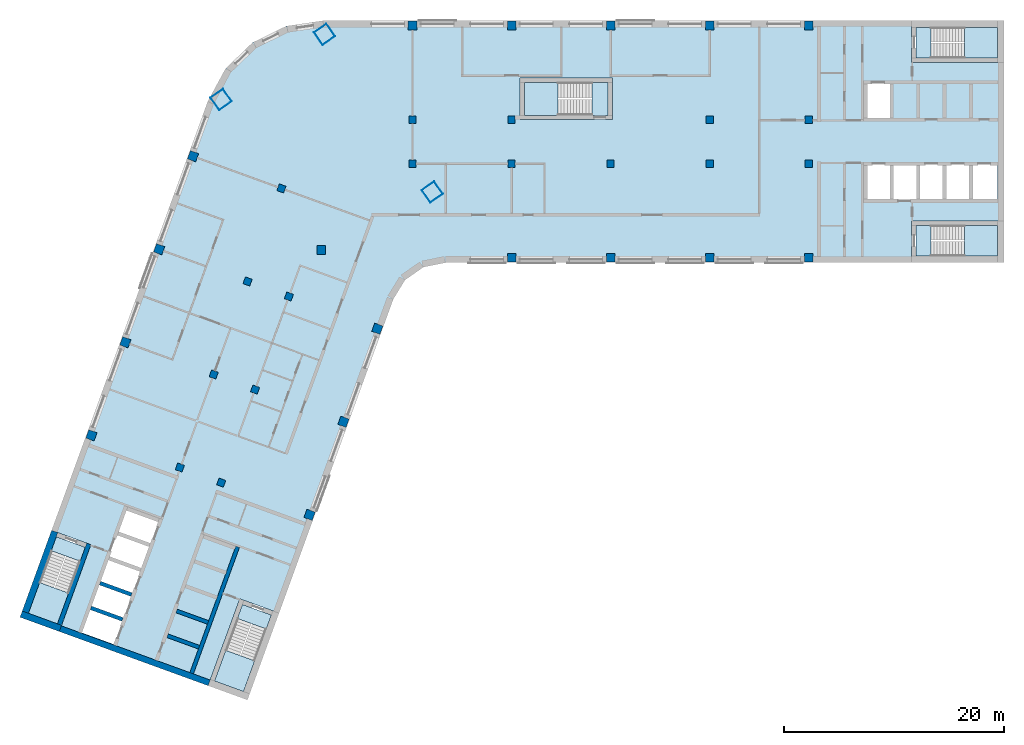
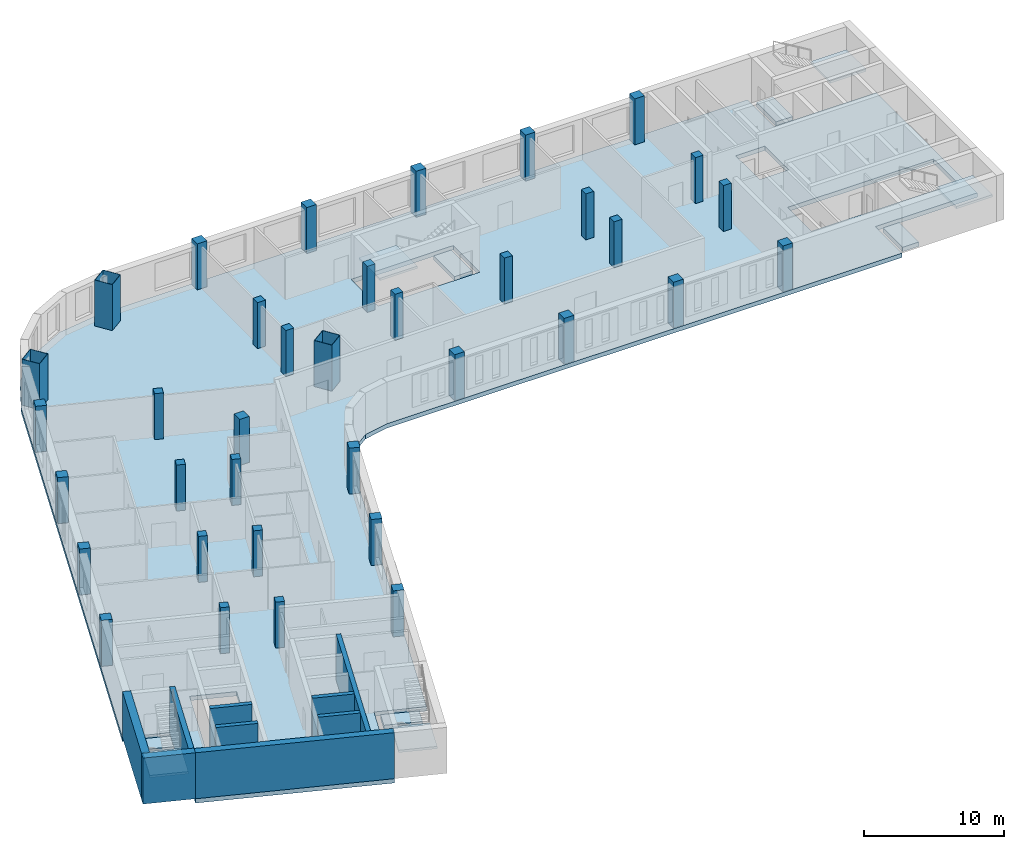
# One storey, part 1 of 8: 36 columns, 11 slabs, 9 walls, 5 elements without a shape of their own.
"""IFC4 building model written with IfcOpenShell, lengths in metres."""

from ifc_helpers import new_model, si_unit, direction, frame, frame_2d, origin, origin_2d, place, context, subcontext, project, spatial, polyline, rectangle, hollow_rectangle, outline, extrude, material, layer, layer_set, material_profile, profile_set, type_object, element, aggregate, save


model = new_model("IFC4")

# Units and contexts
model_context = context("Model", 3, precision=1e-05, world=origin(), true_north=direction((0.0, 1.0)))
body_context = subcontext(model_context, "Body", "Model", "MODEL_VIEW")
ifc_project = project(units=[si_unit("LENGTHUNIT", "METRE"), si_unit("AREAUNIT", "SQUARE_METRE"), si_unit("VOLUMEUNIT", "CUBIC_METRE"), si_unit("PLANEANGLEUNIT", "RADIAN"), si_unit("MASSUNIT", "GRAM", prefix="KILO")], contexts=[model_context])

# Site, building, storey
site_placement = place(None, origin())
site = spatial("IfcSite", under=ifc_project, at=site_placement, CompositionType="ELEMENT")
building_placement = place(site_placement, origin())
building = spatial("IfcBuilding", under=site, at=building_placement, Name="Skarvind Civic Tower", CompositionType="ELEMENT")
storey_placement = place(building_placement, frame((0.0, 0.0, 170.5)))
storey = spatial("IfcBuildingStorey", under=building, at=storey_placement, Name="L40", CompositionType="ELEMENT", Elevation=170.5)

# Columns
ifc_material_1 = material(Name="Concrete C60", Category="concrete")
ifc_material_profile_1 = material_profile(ifc_material_1, rectangle(XDim=0.64990234375, YDim=0.64990234375, at=origin_2d()), Name="RC-650x650")
ifc_profile_set_1 = profile_set([ifc_material_profile_1], Name="Concrete C60")
column_type_1 = type_object("IfcColumnType", Name="Column RC-650x650 C60", PredefinedType="COLUMN", material=ifc_profile_set_1)
for number, where, z_axis, x_axis, name in (
    (1, (54.25, 130.0, 0.0), (0.0, 0.0, 1.0), (1.0, 0.0, 0.0), "Column wing 1 north inner 02 L40"),
    (2, (63.25, 130.0, 0.0), (0.0, 0.0, 1.0), (1.0, 0.0, 0.0), "Column wing 1 north inner 03 L40"),
    (3, (81.25, 130.0, 0.0), (0.0, 0.0, 1.0), (1.0, 0.0, 0.0), "Column wing 1 north inner 05 L40"),
    (4, (90.25, 130.0, 0.0), (0.0, 0.0, 1.0), (1.0, 0.0, 0.0), "Column wing 1 north inner 06 L40"),
    (5, (54.25, 126.0, 0.0), (0.0, 0.0, 1.0), (1.0, 0.0, 0.0), "Column wing 1 south inner 02 L40"),
    (6, (63.25, 126.0, 0.0), (0.0, 0.0, 1.0), (1.0, 0.0, 0.0), "Column wing 1 south inner 03 L40"),
    (7, (72.25, 126.0, 0.0), (0.0, 0.0, 1.0), (1.0, 0.0, 0.0), "Column wing 1 south inner 04 L40"),
    (8, (81.25, 126.0, 0.0), (0.0, 0.0, 1.0), (1.0, 0.0, 0.0), "Column wing 1 south inner 05 L40"),
    (9, (90.25, 126.0, 0.0), (0.0, 0.0, 1.0), (1.0, 0.0, 0.0), "Column wing 1 south inner 06 L40"),
    (10, (43.005615234375, 113.92529296875, 0.0), (0.0, 0.0, 1.0), (-0.342020143326, -0.939692620786, 0.0), "Column wing 2 left inner 02 L40"),
    (11, (39.927490234375, 105.468017578125, 0.0), (0.0, 0.0, 1.0), (-0.342020143326, -0.939692620786, 0.0), "Column wing 2 left inner 03 L40"),
    (12, (36.84912109375, 97.010986328125, 0.0), (0.0, 0.0, 1.0), (-0.342020143326, -0.939692620786, 0.0), "Column wing 2 left inner 04 L40"),
    (13, (42.324951171875, 123.750732421875, 0.0), (0.0, 0.0, 1.0), (-0.342020143326, -0.939692620786, 0.0), "Column wing 2 right inner 01 L40"),
    (14, (39.246826171875, 115.29345703125, 0.0), (0.0, 0.0, 1.0), (-0.342020143326, -0.939692620786, 0.0), "Column wing 2 right inner 02 L40"),
    (15, (36.168701171875, 106.836181640625, 0.0), (0.0, 0.0, 1.0), (-0.342020143326, -0.939692620786, 0.0), "Column wing 2 right inner 03 L40"),
    (16, (33.090576171875, 98.37890625, 0.0), (0.0, 0.0, 1.0), (-0.342020143326, -0.939692620786, 0.0), "Column wing 2 right inner 04 L40"),
):
    element("IfcColumn", number, at=place(storey_placement, frame(where, z_axis=z_axis, x_axis=x_axis)), inside=storey, type_object=column_type_1, Name=name, PredefinedType="COLUMN", context=body_context, shape_type="SweptSolid", body=[
        extrude(rectangle(XDim=0.64990234375, YDim=0.64990234375, at=origin_2d()), origin(), (0.0, 0.0, 1.0), 4.0),
    ])
ifc_material_profile_2 = material_profile(ifc_material_1, rectangle(XDim=0.800048828125, YDim=0.800048828125, at=origin_2d()), Name="RC-800x800")
ifc_profile_set_2 = profile_set([ifc_material_profile_2], Name="Concrete C60")
column_type_2 = type_object("IfcColumnType", Name="Column RC-800x800 C60", PredefinedType="COLUMN", material=ifc_profile_set_2)
for number, where, z_axis, x_axis, name in (
    (17, (54.25, 138.550048828125, 0.0), (0.0, 0.0, 1.0), (1.0, 0.0, 0.0), "Column wing 1 north perimeter 02 L40"),
    (18, (63.25, 138.550048828125, 0.0), (0.0, 0.0, 1.0), (1.0, 0.0, 0.0), "Column wing 1 north perimeter 03 L40"),
    (19, (72.25, 138.550048828125, 0.0), (0.0, 0.0, 1.0), (1.0, 0.0, 0.0), "Column wing 1 north perimeter 04 L40"),
    (20, (81.25, 138.550048828125, 0.0), (0.0, 0.0, 1.0), (1.0, 0.0, 0.0), "Column wing 1 north perimeter 05 L40"),
    (21, (90.25, 138.550048828125, 0.0), (0.0, 0.0, 1.0), (1.0, 0.0, 0.0), "Column wing 1 north perimeter 06 L40"),
    (22, (45.95166015625, 118.151611328125, 0.0), (0.0, 0.0, 1.0), (1.0, 0.0, 0.0), "Column wing 1 south perimeter 01 L40"),
    (23, (63.25, 117.449951171875, 0.0), (0.0, 0.0, 1.0), (1.0, 0.0, 0.0), "Column wing 1 south perimeter 03 L40"),
    (24, (72.25, 117.449951171875, 0.0), (0.0, 0.0, 1.0), (1.0, 0.0, 0.0), "Column wing 1 south perimeter 04 L40"),
    (25, (81.25, 117.449951171875, 0.0), (0.0, 0.0, 1.0), (1.0, 0.0, 0.0), "Column wing 1 south perimeter 05 L40"),
    (26, (90.25, 117.449951171875, 0.0), (0.0, 0.0, 1.0), (1.0, 0.0, 0.0), "Column wing 1 south perimeter 06 L40"),
    (27, (51.0400390625, 111.0009765625, 0.0), (0.0, 0.0, 1.0), (-0.342020143326, -0.939692620786, 0.0), "Column wing 2 left perimeter 02 L40"),
    (28, (47.961669921875, 102.5439453125, 0.0), (0.0, 0.0, 1.0), (-0.342020143326, -0.939692620786, 0.0), "Column wing 2 left perimeter 03 L40"),
    (29, (44.883544921875, 94.086669921875, 0.0), (0.0, 0.0, 1.0), (-0.342020143326, -0.939692620786, 0.0), "Column wing 2 left perimeter 04 L40"),
    (30, (34.29052734375, 126.6748046875, 0.0), (0.0, 0.0, 1.0), (-0.342020143326, -0.939692620786, 0.0), "Column wing 2 right perimeter 01 L40"),
    (31, (31.21240234375, 118.2177734375, 0.0), (0.0, 0.0, 1.0), (-0.342020143326, -0.939692620786, 0.0), "Column wing 2 right perimeter 02 L40"),
    (32, (28.13427734375, 109.760498046875, 0.0), (0.0, 0.0, 1.0), (-0.342020143326, -0.939692620786, 0.0), "Column wing 2 right perimeter 03 L40"),
    (33, (25.05615234375, 101.30322265625, 0.0), (0.0, 0.0, 1.0), (-0.342020143326, -0.939692620786, 0.0), "Column wing 2 right perimeter 04 L40"),
):
    element("IfcColumn", number, at=place(storey_placement, frame(where, z_axis=z_axis, x_axis=x_axis)), inside=storey, type_object=column_type_2, Name=name, PredefinedType="COLUMN", context=body_context, shape_type="SweptSolid", body=[
        extrude(rectangle(XDim=0.800048828125, YDim=0.800048828125, at=origin_2d()), origin(), (0.0, 0.0, 1.0), 4.0),
    ])
ifc_material_2 = material(Name="Composite concrete-filled steel tube, Steel SM355 with Concrete C80", Category="concrete")
ifc_material_profile_3 = material_profile(ifc_material_2, hollow_rectangle(XDim=1.39990234375, YDim=1.39990234375, WallThickness=0.031982421875, at=origin_2d()), Name="BOX-1400x1400x32")
ifc_profile_set_3 = profile_set([ifc_material_profile_3], Name="Composite concrete-filled steel tube, Steel SM355 with Concrete C80")
column_type_3 = type_object("IfcColumnType", Name="Mega column BOX-1400x1400x32 filled C80", PredefinedType="COLUMN", material=ifc_profile_set_3)
for number, where, z_axis, x_axis, name in (
    (34, (36.845947265625, 131.837646484375, 0.0), (0.0, 0.0, 1.0), (0.573576436351, -0.819152044289, 0.0), "Mega column 1 L40"),
    (35, (46.2470703125, 137.762451171875, 0.0), (0.0, 0.0, 1.0), (0.573576436351, -0.819152044289, 0.0), "Mega column 2 L40"),
    (36, (56.0361328125, 123.43017578125, 0.0), (0.0, 0.0, 1.0), (0.573576436351, -0.819152044289, 0.0), "Mega column 4 L40"),
):
    element("IfcColumn", number, at=place(storey_placement, frame(where, z_axis=z_axis, x_axis=x_axis)), inside=storey, type_object=column_type_3, Name=name, PredefinedType="COLUMN", context=body_context, shape_type="SweptSolid", body=[
        extrude(hollow_rectangle(XDim=1.39990234375, YDim=1.39990234375, WallThickness=0.031982421875, at=origin_2d()), origin(), (0.0, 0.0, 1.0), 4.0),
    ])

# Slabs
ifc_material_3 = material(Name="Concrete C50", Category="concrete")
ifc_layer_1 = layer(ifc_material_3, 0.375)
ifc_layer_set_1 = layer_set([ifc_layer_1], Name="Floor slab 375 C50")
slab_type_1 = type_object("IfcSlabType", Name="Floor slab 375 C50", PredefinedType="FLOOR", material=ifc_layer_set_1)
slab_1_placement = place(storey_placement, frame((0.0, 0.0, -0.375)))
element("IfcSlab", 37, at=slab_1_placement, inside=storey, type_object=slab_type_1, Name="Floor slab L40 1", PredefinedType="FLOOR", context=body_context, shape_type="SweptSolid", body=[
    extrude(outline(polyline([(99.60009765625, 117.0), (99.60009765625, 120.800048828125), (108.0, 120.800048828125), (108.0, 135.199951171875), (99.60009765625, 135.199951171875), (99.60009765625, 139.0), (46.095458984375, 139.0), (42.739501953125, 138.5009765625), (39.6943359375, 137.005615234375), (37.24755859375, 134.6552734375), (35.630615234375, 131.672607421875), (19.41748046875, 87.126708984375), (21.435302734375, 92.6708984375), (25.006103515625, 91.371337890625), (22.13330078125, 83.477783203125), (36.886474609375, 78.108154296875), (35.664794921875, 78.552734375), (38.53759765625, 86.4462890625), (42.108642578125, 85.146484375), (40.0908203125, 79.602294921875), (40.0908203125, 79.602294921875), (52.493896484375, 113.68017578125), (53.560791015625, 115.421630859375), (55.23388671875, 116.593017578125), (57.235107421875, 117.0), (99.60009765625, 117.0)]), holes=[polyline([(25.671630859375, 87.9365234375), (26.492431640625, 90.19189453125), (27.313232421875, 92.447021484375), (28.134033203125, 94.702392578125), (31.3291015625, 93.53955078125), (30.50830078125, 91.2841796875), (29.6875, 89.029052734375), (28.866455078125, 86.773681640625), (28.866455078125, 86.773681640625), (28.045654296875, 84.5185546875), (27.224853515625, 82.26318359375), (24.02978515625, 83.426025390625), (24.8505859375, 85.681396484375), (25.671630859375, 87.9365234375), (25.671630859375, 87.9365234375)]), polyline([(64.0, 130.0), (64.0, 133.800048828125), (72.39990234375, 133.800048828125), (72.39990234375, 130.0), (64.0, 130.0)]), polyline([(97.800048828125, 126.0), (100.199951171875, 126.0), (102.60009765625, 126.0), (105.0, 126.0), (107.39990234375, 126.0), (107.39990234375, 122.60009765625), (105.0, 122.60009765625), (102.60009765625, 122.60009765625), (100.199951171875, 122.60009765625), (97.800048828125, 122.60009765625), (95.39990234375, 122.60009765625), (95.39990234375, 126.0), (97.800048828125, 126.0)]), polyline([(97.800048828125, 133.39990234375), (97.800048828125, 130.0), (95.39990234375, 130.0), (95.39990234375, 133.39990234375), (97.800048828125, 133.39990234375)])]), origin(), (0.0, 0.0, 1.0), 0.375),
])
ifc_material_4 = material(Name="Concrete C40/50", Category="concrete")
ifc_layer_2 = layer(ifc_material_4, 0.375)
ifc_layer_set_2 = layer_set([ifc_layer_2], Name="Stair floor landing slab 375")
slab_type_2 = type_object("IfcSlabType", Name="Stair floor landing slab 375", PredefinedType="LANDING", material=ifc_layer_set_2)
slab_2_placement = place(storey_placement, frame((0.0, 0.0, -0.375)))
element("IfcSlab", 38, at=slab_2_placement, inside=storey, type_object=slab_type_2, Name="Stair floor landing", PredefinedType="LANDING", context=body_context, shape_type="SweptSolid", body=[
    extrude(outline(polyline([(101.3505859375, 138.400634765625), (101.3505859375, 135.599365234375), (99.99951171875, 135.599365234375), (99.99951171875, 138.400634765625), (101.3505859375, 138.400634765625)])), origin(), (0.0, 0.0, 1.0), 0.375),
])
slab_3_placement = place(storey_placement, frame((0.0, 0.0, -0.375)))
element("IfcSlab", 39, at=slab_3_placement, inside=storey, type_object=slab_type_2, Name="Stair floor landing", PredefinedType="LANDING", context=body_context, shape_type="SweptSolid", body=[
    extrude(outline(polyline([(101.3505859375, 120.400634765625), (101.3505859375, 117.599365234375), (99.99951171875, 117.599365234375), (99.99951171875, 120.400634765625), (101.3505859375, 120.400634765625)])), origin(), (0.0, 0.0, 1.0), 0.375),
])
slab_4_placement = place(storey_placement, frame((0.0, 0.0, -0.375)))
element("IfcSlab", 40, at=slab_4_placement, inside=storey, type_object=slab_type_2, Name="Stair floor landing", PredefinedType="LANDING", context=body_context, shape_type="SweptSolid", body=[
    extrude(outline(polyline([(40.946533203125, 83.70654296875), (38.314208984375, 84.66455078125), (38.7763671875, 85.934326171875), (41.40869140625, 84.976318359375), (40.946533203125, 83.70654296875)])), origin(), (0.0, 0.0, 1.0), 0.375),
])
slab_5_placement = place(storey_placement, frame((0.0, 0.0, -0.375)))
element("IfcSlab", 41, at=slab_5_placement, inside=storey, type_object=slab_type_2, Name="Stair floor landing", PredefinedType="LANDING", context=body_context, shape_type="SweptSolid", body=[
    extrude(outline(polyline([(24.0322265625, 89.863037109375), (21.39990234375, 90.821044921875), (21.862060546875, 92.090576171875), (24.494384765625, 91.132568359375), (24.0322265625, 89.863037109375)])), origin(), (0.0, 0.0, 1.0), 0.375),
])
slab_6_placement = place(storey_placement, frame((0.0, 0.0, -0.375)))
element("IfcSlab", 42, at=slab_6_placement, inside=storey, type_object=slab_type_2, Name="Stair floor landing", PredefinedType="LANDING", context=body_context, shape_type="SweptSolid", body=[
    extrude(outline(polyline([(70.54931640625, 130.3994140625), (70.54931640625, 133.400634765625), (72.00048828125, 133.400634765625), (72.00048828125, 130.3994140625), (70.54931640625, 130.3994140625)])), origin(), (0.0, 0.0, 1.0), 0.375),
])

# Stair, slab
stair_type_1 = type_object("IfcStairType", Name="Exit stair, half-turn, concrete", PredefinedType="HALF_TURN_STAIR", material=ifc_material_4)
stair_1_placement = place(storey_placement, origin())
stair_1 = element("IfcStair", 43, at=stair_1_placement, inside=storey, type_object=stair_type_1, Name="Exit stair C1S", PredefinedType="HALF_TURN_STAIR")
ifc_layer_3 = layer(ifc_material_4, 0.199951171875)
ifc_layer_set_3 = layer_set([ifc_layer_3], Name="Stair half landing slab")
slab_type_3 = type_object("IfcSlabType", Name="Stair half landing slab", PredefinedType="LANDING", material=ifc_layer_set_3)
slab_7_placement = place(storey_placement, frame((0.0, 0.0, 1.800048828125)))
slab_7 = element("IfcSlab", 44, at=slab_7_placement, type_object=slab_type_3, Name="ST-C1S landing 1", PredefinedType="LANDING", context=body_context, shape_type="SweptSolid", body=[
    extrude(outline(polyline([(104.429443359375, 135.599365234375), (104.429443359375, 138.400634765625), (107.400634765625, 138.400634765625), (107.400634765625, 135.599365234375), (104.429443359375, 135.599365234375)])), origin(), (0.0, 0.0, 1.0), 0.199951171875),
])
aggregate(stair_1, [slab_7])

stair_2_placement = place(storey_placement, origin())
stair_2 = element("IfcStair", 45, at=stair_2_placement, inside=storey, type_object=stair_type_1, Name="Exit stair C1N", PredefinedType="HALF_TURN_STAIR")
slab_8_placement = place(storey_placement, frame((0.0, 0.0, 1.800048828125)))
slab_8 = element("IfcSlab", 46, at=slab_8_placement, type_object=slab_type_3, Name="ST-C1N landing 1", PredefinedType="LANDING", context=body_context, shape_type="SweptSolid", body=[
    extrude(outline(polyline([(104.429443359375, 117.599365234375), (104.429443359375, 120.400634765625), (107.400634765625, 120.400634765625), (107.400634765625, 117.599365234375), (104.429443359375, 117.599365234375)])), origin(), (0.0, 0.0, 1.0), 0.199951171875),
])
aggregate(stair_2, [slab_8])

stair_3_placement = place(storey_placement, origin())
stair_3 = element("IfcStair", 47, at=stair_3_placement, inside=storey, type_object=stair_type_1, Name="Exit stair C2S", PredefinedType="HALF_TURN_STAIR")
slab_9_placement = place(storey_placement, frame((0.0, 0.0, 1.800048828125)))
slab_9 = element("IfcSlab", 48, at=slab_9_placement, type_object=slab_type_3, Name="ST-C2S landing 1", PredefinedType="LANDING", context=body_context, shape_type="SweptSolid", body=[
    extrude(outline(polyline([(37.26123046875, 81.771484375), (39.8935546875, 80.8134765625), (38.87744140625, 78.021484375), (36.2451171875, 78.9794921875), (37.26123046875, 81.771484375)])), origin(), (0.0, 0.0, 1.0), 0.199951171875),
])
aggregate(stair_3, [slab_9])

stair_4_placement = place(storey_placement, origin())
stair_4 = element("IfcStair", 49, at=stair_4_placement, inside=storey, type_object=stair_type_1, Name="Exit stair C2N", PredefinedType="HALF_TURN_STAIR")
slab_10_placement = place(storey_placement, frame((0.0, 0.0, 1.800048828125)))
slab_10 = element("IfcSlab", 50, at=slab_10_placement, type_object=slab_type_3, Name="ST-C2N landing 1", PredefinedType="LANDING", context=body_context, shape_type="SweptSolid", body=[
    extrude(outline(polyline([(20.346923828125, 87.927734375), (22.97900390625, 86.9697265625), (21.962890625, 84.177734375), (19.33056640625, 85.1357421875), (20.346923828125, 87.927734375)])), origin(), (0.0, 0.0, 1.0), 0.199951171875),
])
aggregate(stair_4, [slab_10])

stair_type_2 = type_object("IfcStairType", Name="Exit stair 1450, half-turn, concrete", PredefinedType="HALF_TURN_STAIR", material=ifc_material_4)
stair_5_placement = place(storey_placement, origin())
stair_5 = element("IfcStair", 51, at=stair_5_placement, inside=storey, type_object=stair_type_2, Name="Exit stair CM", PredefinedType="HALF_TURN_STAIR")
slab_11_placement = place(storey_placement, frame((0.0, 0.0, 1.800048828125)))
slab_11 = element("IfcSlab", 52, at=slab_11_placement, type_object=slab_type_3, Name="ST-CM landing 1", PredefinedType="LANDING", context=body_context, shape_type="SweptSolid", body=[
    extrude(outline(polyline([(67.470703125, 133.400634765625), (67.470703125, 130.3994140625), (64.3994140625, 130.3994140625), (64.3994140625, 133.400634765625), (67.470703125, 133.400634765625)])), origin(), (0.0, 0.0, 1.0), 0.199951171875),
])
aggregate(stair_5, [slab_11])

# Walls
ifc_layer_4 = layer(ifc_material_1, 0.35009765625)
ifc_layer_set_4 = layer_set([ifc_layer_4], Name="Core wall 350 C60")
wall_type_1 = type_object("IfcWallType", Name="Core wall 350 C60", PredefinedType="SHEAR", material=ifc_layer_set_4)
wall_1_placement = place(storey_placement, frame((34.161376953125, 79.685302734375, 0.0), z_axis=(0.0, 0.0, 1.0), x_axis=(0.34201563943, 0.939694260058, 0.0)))
element("IfcWall", 53, at=wall_1_placement, inside=storey, type_object=wall_type_1, Name="Core wall C2 south lift row back L40", PredefinedType="SHEAR", context=body_context, shape_type="SweptSolid", body=[
    extrude(rectangle(XDim=12.22509765625, YDim=0.35009765625, at=frame_2d((6.112548828125, 0.0))), origin(), (0.0, 0.0, 1.0), 4.0),
])
wall_2_placement = place(storey_placement, frame((34.8349609375, 82.04736328125, 0.0), z_axis=(0.0, 0.0, 1.0), x_axis=(-0.939683528043, 0.3420451244, 0.0)))
element("IfcWall", 54, at=wall_2_placement, inside=storey, type_object=wall_type_1, Name="Core wall C2 south lift row division 1 L40", PredefinedType="SHEAR", context=body_context, shape_type="SweptSolid", body=[
    extrude(rectangle(XDim=3.050048828125, YDim=0.35009765625, at=frame_2d((1.52490234375, 0.0))), origin(), (0.0, 0.0, 1.0), 4.0),
])
wall_3_placement = place(storey_placement, frame((35.65576171875, 84.302734375, 0.0), z_axis=(0.0, 0.0, 1.0), x_axis=(-0.939709254651, 0.341974438698, 0.0)))
element("IfcWall", 55, at=wall_3_placement, inside=storey, type_object=wall_type_1, Name="Core wall C2 south lift row division 2 L40", PredefinedType="SHEAR", context=body_context, shape_type="SweptSolid", body=[
    extrude(rectangle(XDim=3.0498046875, YDim=0.35009765625, at=frame_2d((1.52490234375, 0.0))), origin(), (0.0, 0.0, 1.0), 4.0),
])
for number, where, z_axis, x_axis, name in (
    (56, (27.881103515625, 84.578369140625, 0.0), (0.0, 0.0, 1.0), (-0.939683528043, 0.3420451244, 0.0), "Core wall C2 north lift row division 1 L40"),
    (57, (28.7021484375, 86.83349609375, 0.0), (0.0, 0.0, 1.0), (-0.939692892192, 0.342019397644, 0.0), "Core wall C2 north lift row division 2 L40"),
):
    element("IfcWall", number, at=place(storey_placement, frame(where, z_axis=z_axis, x_axis=x_axis)), inside=storey, type_object=wall_type_1, Name=name, PredefinedType="SHEAR", context=body_context, shape_type="SweptSolid", body=[
        extrude(rectangle(XDim=3.050048828125, YDim=0.35009765625, at=frame_2d((1.52490234375, 0.0))), origin(), (0.0, 0.0, 1.0), 4.0),
    ])
ifc_layer_5 = layer(ifc_material_1, 0.39990234375)
ifc_layer_set_5 = layer_set([ifc_layer_5], Name="Core wall 400 C60")
wall_type_2 = type_object("IfcWallType", Name="Core wall 400 C60", PredefinedType="SHEAR", material=ifc_layer_set_5)
wall_4_placement = place(storey_placement, frame((22.150390625, 84.110107421875, 0.0), z_axis=(0.0, 0.0, 1.0), x_axis=(0.342016982193, 0.939693771338, 0.0)))
element("IfcWall", 58, at=wall_4_placement, inside=storey, type_object=wall_type_2, Name="Core wall C2 north stair inner L40", PredefinedType="SHEAR", context=body_context, shape_type="SweptSolid", body=[
    extrude(rectangle(XDim=7.800048828125, YDim=0.39990234375, at=frame_2d((3.89990234375, 0.0))), origin(), (0.0, 0.0, 1.0), 4.0),
])
ifc_layer_6 = layer(ifc_material_1, 0.550048828125)
ifc_layer_set_6 = layer_set([ifc_layer_6], Name="Core wall 550 C60")
wall_type_3 = type_object("IfcWallType", Name="Core wall 550 C60", PredefinedType="SHEAR", material=ifc_layer_set_6)
wall_5_placement = place(storey_placement, frame((35.7587890625, 78.811279296875, 0.0), z_axis=(0.0, 0.0, 1.0), x_axis=(-0.939692894512, 0.342019391267, 0.0)))
element("IfcWall", 59, at=wall_5_placement, inside=storey, type_object=wall_type_3, Name="Core wall C2 tip between the stairs L40", PredefinedType="SHEAR", context=body_context, shape_type="SweptSolid", body=[
    extrude(rectangle(XDim=14.39990234375, YDim=0.550048828125, at=frame_2d((7.199951171875, 0.0))), origin(), (0.0, 0.0, 1.0), 4.0),
])
ifc_layer_7 = layer(ifc_material_1, 0.60009765625)
ifc_layer_set_7 = layer_set([ifc_layer_7], Name="Core wall 600 C60")
wall_type_4 = type_object("IfcWallType", Name="Core wall 600 C60", PredefinedType="SHEAR", material=ifc_layer_set_7)
wall_6_placement = place(storey_placement, frame((22.23583984375, 83.759765625, 0.0), z_axis=(0.0, 0.0, 1.0), x_axis=(-0.939680822529, 0.342052557032, 0.0)))
element("IfcWall", 60, at=wall_6_placement, inside=storey, type_object=wall_type_4, Name="Core wall C2 tip at the north stair L40", PredefinedType="SHEAR", context=body_context, shape_type="SweptSolid", body=[
    extrude(rectangle(XDim=3.800048828125, YDim=0.60009765625, at=frame_2d((1.89990234375, 0.0))), origin(), (0.0, 0.0, 1.0), 4.0),
])
wall_7_placement = place(storey_placement, frame((19.049560546875, 85.23876953125, 0.0), z_axis=(0.0, 0.0, 1.0), x_axis=(0.342016982193, 0.939693771338, 0.0)))
element("IfcWall", 61, at=wall_7_placement, inside=storey, type_object=wall_type_4, Name="Core wall C2 north side at the stair L40", PredefinedType="SHEAR", context=body_context, shape_type="SweptSolid", body=[
    extrude(rectangle(XDim=7.800048828125, YDim=0.60009765625, at=frame_2d((3.89990234375, 0.0))), origin(), (0.0, 0.0, 1.0), 4.0),
])

save(model, "model.ifc")
